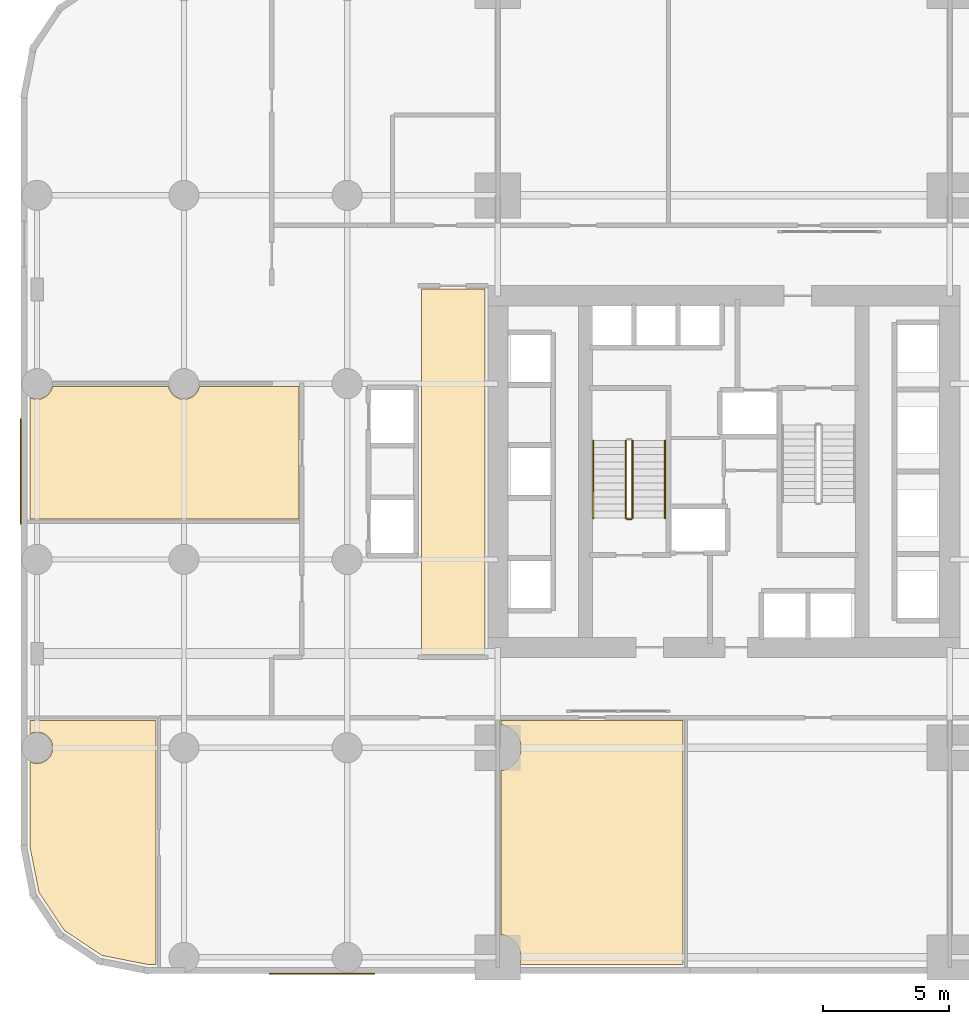
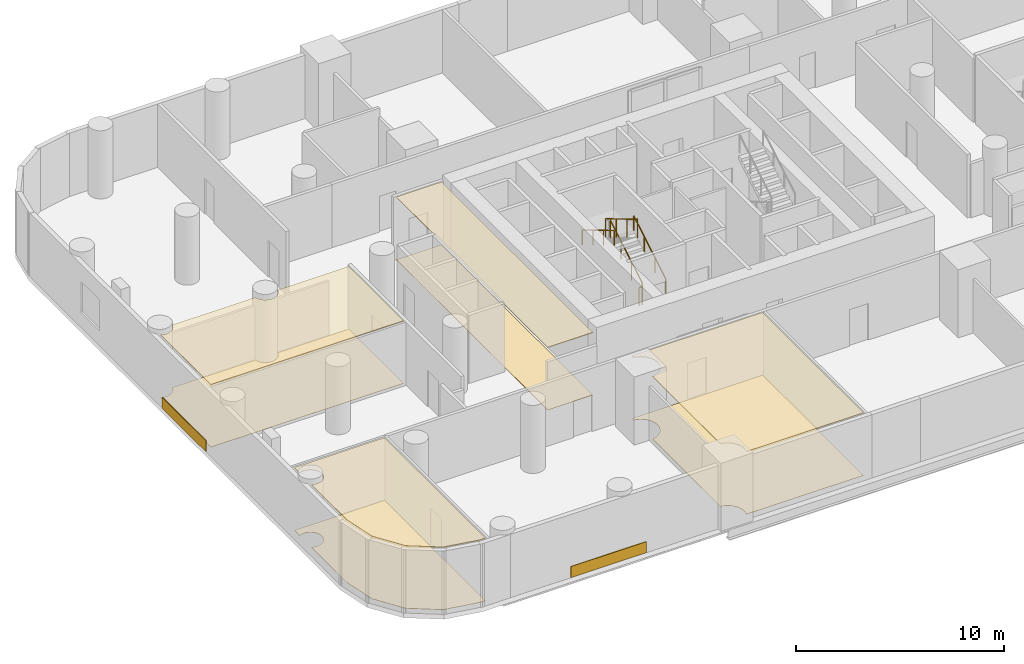
# One storey, part 10 of 12: 10 coverings, 5 railings.
"""IFC4 building model written with IfcOpenShell, lengths in metres."""

from ifc_helpers import new_model, si_unit, direction, frame, origin, origin_2d, place, context, subcontext, project, spatial, polyline, rectangle, outline, extrude, material, layer, layer_set, type_object, element, save


model = new_model("IFC4")

# Units and contexts
model_context = context("Model", 3, precision=1e-05, world=origin(), true_north=direction((0.0, 1.0)))
body_context = subcontext(model_context, "Body", "Model", "MODEL_VIEW")
ifc_project = project(units=[si_unit("LENGTHUNIT", "METRE"), si_unit("AREAUNIT", "SQUARE_METRE"), si_unit("VOLUMEUNIT", "CUBIC_METRE"), si_unit("PLANEANGLEUNIT", "RADIAN"), si_unit("MASSUNIT", "GRAM", prefix="KILO")], contexts=[model_context])

# Site, building, storey
site_placement = place(None, origin())
site = spatial("IfcSite", under=ifc_project, at=site_placement, CompositionType="ELEMENT")
building_placement = place(site_placement, origin())
building = spatial("IfcBuilding", under=site, at=building_placement, Name="Veldorim Arch Residences", CompositionType="ELEMENT")
storey_placement = place(building_placement, frame((0.0, 0.0, 12.0)))
storey = spatial("IfcBuildingStorey", under=building, at=storey_placement, Name="L03", CompositionType="ELEMENT", Elevation=12.0)

# Railings
ifc_material_1 = material(Name="Steel S355", Category="steel")
railing_type_1 = type_object("IfcRailingType", Name="Galvanised Steel Stair Safety Guardrail 1100", PredefinedType="GUARDRAIL", material=ifc_material_1)
railing_1_placement = place(storey_placement, frame((28.360107421875, 22.14990234375, 0.166748046875)))
element("IfcRailing", 1, at=railing_1_placement, inside=storey, type_object=railing_type_1, Name="L03 ST-1 stair guard 1", PredefinedType="GUARDRAIL", context=body_context, shape_type="SweptSolid", body=[
    extrude(rectangle(XDim=0.048095703125, YDim=0.048095703125, at=origin_2d()), frame((0.0, 0.0, 1.076171875), z_axis=(0.0, 0.859308565015, 0.511457515432), x_axis=(-1.0, 0.0, 0.0)), (0.0, 0.0, 1.0), 3.58447265625),
    extrude(rectangle(XDim=0.0419921875, YDim=0.0419921875, at=origin_2d()), origin(), (0.0, 0.0, 1.0), 1.052001953125),
    extrude(rectangle(XDim=0.0419921875, YDim=0.0419921875, at=origin_2d()), frame((0.0, 1.026611328125, 0.611083984375)), (0.0, 0.0, 1.0), 1.052001953125),
    extrude(rectangle(XDim=0.0419921875, YDim=0.0419921875, at=origin_2d()), frame((0.0, 2.053466796875, 1.22216796875)), (0.0, 0.0, 1.0), 1.052001953125),
    extrude(rectangle(XDim=0.0419921875, YDim=0.0419921875, at=origin_2d()), frame((0.0, 3.080078125, 1.833251953125)), (0.0, 0.0, 1.0), 1.052001953125),
])
railing_2_placement = place(storey_placement, frame((28.10009765625, 25.22998046875, 2.166748046875)))
element("IfcRailing", 2, at=railing_2_placement, inside=storey, type_object=railing_type_1, Name="L03 ST-1 stair guard 3", PredefinedType="GUARDRAIL", context=body_context, shape_type="SweptSolid", body=[
    extrude(rectangle(XDim=0.048095703125, YDim=0.048095703125, at=origin_2d()), frame((0.0, 0.0, 1.076171875), z_axis=(0.0, -0.859308565015, 0.511457515432), x_axis=(1.0, 0.0, 0.0)), (0.0, 0.0, 1.0), 3.58447265625),
    extrude(rectangle(XDim=0.0419921875, YDim=0.0419921875, at=origin_2d()), origin(), (0.0, 0.0, 1.0), 1.052001953125),
    extrude(rectangle(XDim=0.0419921875, YDim=0.0419921875, at=origin_2d()), frame((0.0, -1.026611328125, 0.611083984375)), (0.0, 0.0, 1.0), 1.052001953125),
    extrude(rectangle(XDim=0.0419921875, YDim=0.0419921875, at=origin_2d()), frame((0.0, -2.053466796875, 1.22216796875)), (0.0, 0.0, 1.0), 1.052001953125),
    extrude(rectangle(XDim=0.0419921875, YDim=0.0419921875, at=origin_2d()), frame((0.0, -3.080078125, 1.833251953125)), (0.0, 0.0, 1.0), 1.052001953125),
])
railing_3_placement = place(storey_placement, frame((28.31005859375, 22.10009765625, 0.0)))
element("IfcRailing", 3, at=railing_3_placement, inside=storey, type_object=railing_type_1, Name="L03 ST-1 stair guard 4", PredefinedType="GUARDRAIL", context=body_context, shape_type="SweptSolid", body=[
    extrude(rectangle(XDim=0.048095703125, YDim=0.048095703125, at=origin_2d()), frame((0.0, 0.0, 1.076171875), z_axis=(-1.0, 0.0, 0.0), x_axis=(0.0, -1.0, 0.0)), (0.0, 0.0, 1.0), 0.16015625),
    extrude(rectangle(XDim=0.0419921875, YDim=0.0419921875, at=origin_2d()), origin(), (0.0, 0.0, 1.0), 1.052001953125),
    extrude(rectangle(XDim=0.0419921875, YDim=0.0419921875, at=origin_2d()), frame((-0.16015625, 0.0, 0.0)), (0.0, 0.0, 1.0), 1.052001953125),
])

# Coverings
ifc_material_2 = material(Name="Acoustic Gypsum & Mineral Fibre", Category="gypsum")
ifc_layer_1 = layer(ifc_material_2, 0.034912109375, Name="Perforated Acoustic Mineral-Fibre Ceiling 35")
ifc_layer_set_1 = layer_set([ifc_layer_1], Name="Acoustic Gypsum & Mineral Fibre")
covering_type_1 = type_object("IfcCoveringType", Name="Perforated Acoustic Mineral-Fibre Ceiling 35", PredefinedType="CEILING", material=ifc_layer_set_1)
covering_1_placement = place(storey_placement, frame((0.0, 0.0, 3.6650390625)))
element("IfcCovering", 4, at=covering_1_placement, inside=storey, type_object=covering_type_1, Name="L03 acoustic suspended ceiling 01", PredefinedType="CEILING", context=body_context, shape_type="SweptSolid", body=[
    extrude(outline(polyline([(4.3701171875, 9.036376953125), (4.3701171875, 12.4453125), (4.48828125, 12.396240234375), (4.64990234375, 12.375), (4.811767578125, 12.396240234375), (4.96240234375, 12.458740234375), (5.091796875, 12.55810546875), (5.19140625, 12.6875), (5.253662109375, 12.838134765625), (5.27490234375, 13.0), (5.253662109375, 13.161865234375), (5.19140625, 13.3125), (5.091796875, 13.44189453125), (4.96240234375, 13.541259765625), (4.811767578125, 13.603759765625), (4.64990234375, 13.625), (4.48828125, 13.603759765625), (4.3701171875, 13.5546875), (4.3701171875, 14.080078125), (9.3798828125, 14.080078125), (9.3798828125, 4.3701171875), (9.036376953125, 4.3701171875), (7.23095703125, 4.72900390625), (5.731201171875, 5.731201171875), (4.72900390625, 7.23095703125), (4.3701171875, 9.036376953125)])), origin(), (0.0, 0.0, 1.0), 0.034912109375),
])
covering_2_placement = place(storey_placement, frame((0.0, 0.0, 3.6650390625)))
element("IfcCovering", 5, at=covering_2_placement, inside=storey, type_object=covering_type_1, Name="L03 acoustic suspended ceiling 02", PredefinedType="CEILING", context=body_context, shape_type="SweptSolid", body=[
    extrude(outline(polyline([(4.3701171875, 26.9453125), (4.48828125, 26.896240234375), (4.64990234375, 26.875), (4.811767578125, 26.896240234375), (4.96240234375, 26.958740234375), (5.091796875, 27.05810546875), (5.19140625, 27.1875), (5.253662109375, 27.338134765625), (5.25927734375, 27.3798828125), (9.890869140625, 27.3798828125), (9.896240234375, 27.338134765625), (9.958740234375, 27.1875), (10.05810546875, 27.05810546875), (10.1875, 26.958740234375), (10.338134765625, 26.896240234375), (10.5, 26.875), (10.661865234375, 26.896240234375), (10.8125, 26.958740234375), (10.94189453125, 27.05810546875), (11.041259765625, 27.1875), (11.103759765625, 27.338134765625), (11.109130859375, 27.3798828125), (15.080078125, 27.3798828125), (15.080078125, 22.1201171875), (4.3701171875, 22.1201171875), (4.3701171875, 26.9453125)])), origin(), (0.0, 0.0, 1.0), 0.034912109375),
])
covering_3_placement = place(storey_placement, frame((0.0, 0.0, 3.6650390625)))
element("IfcCovering", 6, at=covering_3_placement, inside=storey, type_object=covering_type_1, Name="L03 acoustic suspended ceiling 03", PredefinedType="CEILING", context=body_context, shape_type="SweptSolid", body=[
    extrude(outline(polyline([(22.47998046875, 31.280029296875), (22.47998046875, 16.719970703125), (19.969970703125, 16.719970703125), (19.969970703125, 31.280029296875), (22.47998046875, 31.280029296875)])), origin(), (0.0, 0.0, 1.0), 0.034912109375),
])
covering_4_placement = place(storey_placement, frame((0.0, 0.0, 3.6650390625)))
element("IfcCovering", 7, at=covering_4_placement, inside=storey, type_object=covering_type_1, Name="L03 acoustic suspended ceiling 06", PredefinedType="CEILING", context=body_context, shape_type="SweptSolid", body=[
    extrude(outline(polyline([(30.3798828125, 14.080078125), (30.3798828125, 4.3701171875), (23.876708984375, 4.3701171875), (23.8935546875, 4.41064453125), (23.925048828125, 4.64990234375), (23.8935546875, 4.889404296875), (23.801025390625, 5.112548828125), (23.654052734375, 5.30419921875), (23.46240234375, 5.451171875), (23.239501953125, 5.54345703125), (23.1201171875, 5.55908203125), (23.1201171875, 12.0908203125), (23.239501953125, 12.1064453125), (23.46240234375, 12.198974609375), (23.654052734375, 12.345947265625), (23.801025390625, 12.53759765625), (23.8935546875, 12.760498046875), (23.925048828125, 13.0), (23.8935546875, 13.239501953125), (23.801025390625, 13.46240234375), (23.654052734375, 13.654052734375), (23.46240234375, 13.801025390625), (23.239501953125, 13.8935546875), (23.1201171875, 13.9091796875), (23.1201171875, 14.080078125), (30.3798828125, 14.080078125)])), origin(), (0.0, 0.0, 1.0), 0.034912109375),
])
ifc_material_3 = material(Name="Porcelain Ceramic Tile", Category="ceramic")
ifc_layer_2 = layer(ifc_material_3, 0.02001953125, Name="Slip-Resistant Porcelain & Vinyl Floor Finish 20")
ifc_layer_set_2 = layer_set([ifc_layer_2], Name="Porcelain Ceramic Tile")
covering_type_2 = type_object("IfcCoveringType", Name="Slip-Resistant Porcelain & Vinyl Floor Finish 20", PredefinedType="FLOORING", material=ifc_layer_set_2)
covering_5_placement = place(storey_placement, origin())
element("IfcCovering", 8, at=covering_5_placement, inside=storey, type_object=covering_type_2, Name="L03 porcelain floor finish 01", PredefinedType="FLOORING", context=body_context, shape_type="SweptSolid", body=[
    extrude(outline(polyline([(4.3701171875, 9.036376953125), (4.3701171875, 12.4453125), (4.48828125, 12.396240234375), (4.64990234375, 12.375), (4.811767578125, 12.396240234375), (4.96240234375, 12.458740234375), (5.091796875, 12.55810546875), (5.19140625, 12.6875), (5.253662109375, 12.838134765625), (5.27490234375, 13.0), (5.253662109375, 13.161865234375), (5.19140625, 13.3125), (5.091796875, 13.44189453125), (4.96240234375, 13.541259765625), (4.811767578125, 13.603759765625), (4.64990234375, 13.625), (4.48828125, 13.603759765625), (4.3701171875, 13.5546875), (4.3701171875, 14.080078125), (9.3798828125, 14.080078125), (9.3798828125, 4.3701171875), (9.036376953125, 4.3701171875), (7.23095703125, 4.72900390625), (5.731201171875, 5.731201171875), (4.72900390625, 7.23095703125), (4.3701171875, 9.036376953125)])), origin(), (0.0, 0.0, 1.0), 0.02001953125),
])
covering_6_placement = place(storey_placement, origin())
element("IfcCovering", 9, at=covering_6_placement, inside=storey, type_object=covering_type_2, Name="L03 porcelain floor finish 02", PredefinedType="FLOORING", context=body_context, shape_type="SweptSolid", body=[
    extrude(outline(polyline([(4.3701171875, 26.9453125), (4.48828125, 26.896240234375), (4.64990234375, 26.875), (4.811767578125, 26.896240234375), (4.96240234375, 26.958740234375), (5.091796875, 27.05810546875), (5.19140625, 27.1875), (5.253662109375, 27.338134765625), (5.25927734375, 27.3798828125), (9.890869140625, 27.3798828125), (9.896240234375, 27.338134765625), (9.958740234375, 27.1875), (10.05810546875, 27.05810546875), (10.1875, 26.958740234375), (10.338134765625, 26.896240234375), (10.5, 26.875), (10.661865234375, 26.896240234375), (10.8125, 26.958740234375), (10.94189453125, 27.05810546875), (11.041259765625, 27.1875), (11.103759765625, 27.338134765625), (11.109130859375, 27.3798828125), (15.080078125, 27.3798828125), (15.080078125, 22.1201171875), (4.3701171875, 22.1201171875), (4.3701171875, 26.9453125)])), origin(), (0.0, 0.0, 1.0), 0.02001953125),
])
covering_7_placement = place(storey_placement, origin())
element("IfcCovering", 10, at=covering_7_placement, inside=storey, type_object=covering_type_2, Name="L03 porcelain floor finish 03", PredefinedType="FLOORING", context=body_context, shape_type="SweptSolid", body=[
    extrude(outline(polyline([(22.47998046875, 31.280029296875), (22.47998046875, 16.719970703125), (19.969970703125, 16.719970703125), (19.969970703125, 31.280029296875), (22.47998046875, 31.280029296875)])), origin(), (0.0, 0.0, 1.0), 0.02001953125),
])
covering_8_placement = place(storey_placement, origin())
element("IfcCovering", 11, at=covering_8_placement, inside=storey, type_object=covering_type_2, Name="L03 porcelain floor finish 06", PredefinedType="FLOORING", context=body_context, shape_type="SweptSolid", body=[
    extrude(outline(polyline([(30.3798828125, 14.080078125), (30.3798828125, 4.3701171875), (23.876708984375, 4.3701171875), (23.8935546875, 4.41064453125), (23.925048828125, 4.64990234375), (23.8935546875, 4.889404296875), (23.801025390625, 5.112548828125), (23.654052734375, 5.30419921875), (23.46240234375, 5.451171875), (23.239501953125, 5.54345703125), (23.1201171875, 5.55908203125), (23.1201171875, 12.0908203125), (23.239501953125, 12.1064453125), (23.46240234375, 12.198974609375), (23.654052734375, 12.345947265625), (23.801025390625, 12.53759765625), (23.8935546875, 12.760498046875), (23.925048828125, 13.0), (23.8935546875, 13.239501953125), (23.801025390625, 13.46240234375), (23.654052734375, 13.654052734375), (23.46240234375, 13.801025390625), (23.239501953125, 13.8935546875), (23.1201171875, 13.9091796875), (23.1201171875, 14.080078125), (30.3798828125, 14.080078125)])), origin(), (0.0, 0.0, 1.0), 0.02001953125),
])
ifc_material_4 = material(Name="Terracotta Ceramic", Category="masonry")
ifc_layer_3 = layer(ifc_material_4, 0.0400390625, Name="Terracotta Rainscreen Spandrel Cladding Panel")
ifc_layer_set_3 = layer_set([ifc_layer_3], Name="Terracotta Ceramic")
covering_type_3 = type_object("IfcCoveringType", Name="Terracotta Rainscreen Spandrel Cladding Panel", PredefinedType="CLADDING", material=ifc_layer_set_3)
for number, where, z_axis, x_axis, name in (
    (12, (3.989990234375, 24.0, 0.025146484375), (0.0, 0.0, 1.0), (0.0, 1.0, 0.0), "L03 terracotta rainscreen spandrel panel 1"),
    (13, (16.0, 3.989990234375, 0.025146484375), (0.0, 0.0, 1.0), (1.0, 0.0, 0.0), "L03 terracotta rainscreen spandrel panel 3"),
):
    element("IfcCovering", number, at=place(storey_placement, frame(where, z_axis=z_axis, x_axis=x_axis)), inside=storey, type_object=covering_type_3, Name=name, PredefinedType="CLADDING", context=body_context, shape_type="SweptSolid", body=[
        extrude(rectangle(XDim=4.199951171875, YDim=0.0400390625, at=origin_2d()), origin(), (0.0, 0.0, 1.0), 0.64990234375),
    ])

# Railings
ifc_material_5 = material(Name="Stainless Steel", Category="steel")
railing_type_2 = type_object("IfcRailingType", Name="Tubular Steel Continuous Wall Handrail 900", PredefinedType="HANDRAIL", material=ifc_material_5)
railing_4_placement = place(storey_placement, frame((29.659912109375, 22.14990234375, 0.166748046875)))
element("IfcRailing", 14, at=railing_4_placement, inside=storey, type_object=railing_type_2, Name="L03 ST-1 stair handrail 1", PredefinedType="HANDRAIL", context=body_context, shape_type="SweptSolid", body=[
    extrude(rectangle(XDim=0.048095703125, YDim=0.048095703125, at=origin_2d()), frame((0.0, 0.0, 0.8759765625), z_axis=(0.0, 0.859308565015, 0.511457515432), x_axis=(-1.0, 0.0, 0.0)), (0.0, 0.0, 1.0), 3.58447265625),
    extrude(rectangle(XDim=0.0419921875, YDim=0.0419921875, at=origin_2d()), origin(), (0.0, 0.0, 1.0), 0.851806640625),
    extrude(rectangle(XDim=0.0419921875, YDim=0.0419921875, at=origin_2d()), frame((0.0, 1.026611328125, 0.611083984375)), (0.0, 0.0, 1.0), 0.851806640625),
    extrude(rectangle(XDim=0.0419921875, YDim=0.0419921875, at=origin_2d()), frame((0.0, 2.053466796875, 1.22216796875)), (0.0, 0.0, 1.0), 0.851806640625),
    extrude(rectangle(XDim=0.0419921875, YDim=0.0419921875, at=origin_2d()), frame((0.0, 3.080078125, 1.833251953125)), (0.0, 0.0, 1.0), 0.851806640625),
])
railing_5_placement = place(storey_placement, frame((26.800048828125, 25.22998046875, 2.166748046875)))
element("IfcRailing", 15, at=railing_5_placement, inside=storey, type_object=railing_type_2, Name="L03 ST-1 stair handrail 2", PredefinedType="HANDRAIL", context=body_context, shape_type="SweptSolid", body=[
    extrude(rectangle(XDim=0.048095703125, YDim=0.048095703125, at=origin_2d()), frame((0.0, 0.0, 0.8759765625), z_axis=(0.0, -0.859308565015, 0.511457515432), x_axis=(1.0, 0.0, 0.0)), (0.0, 0.0, 1.0), 3.58447265625),
    extrude(rectangle(XDim=0.0419921875, YDim=0.0419921875, at=origin_2d()), origin(), (0.0, 0.0, 1.0), 0.851806640625),
    extrude(rectangle(XDim=0.0419921875, YDim=0.0419921875, at=origin_2d()), frame((0.0, -1.026611328125, 0.611083984375)), (0.0, 0.0, 1.0), 0.851806640625),
    extrude(rectangle(XDim=0.0419921875, YDim=0.0419921875, at=origin_2d()), frame((0.0, -2.053466796875, 1.22216796875)), (0.0, 0.0, 1.0), 0.851806640625),
    extrude(rectangle(XDim=0.0419921875, YDim=0.0419921875, at=origin_2d()), frame((0.0, -3.080078125, 1.833251953125)), (0.0, 0.0, 1.0), 0.851806640625),
])

save(model, "model.ifc")
